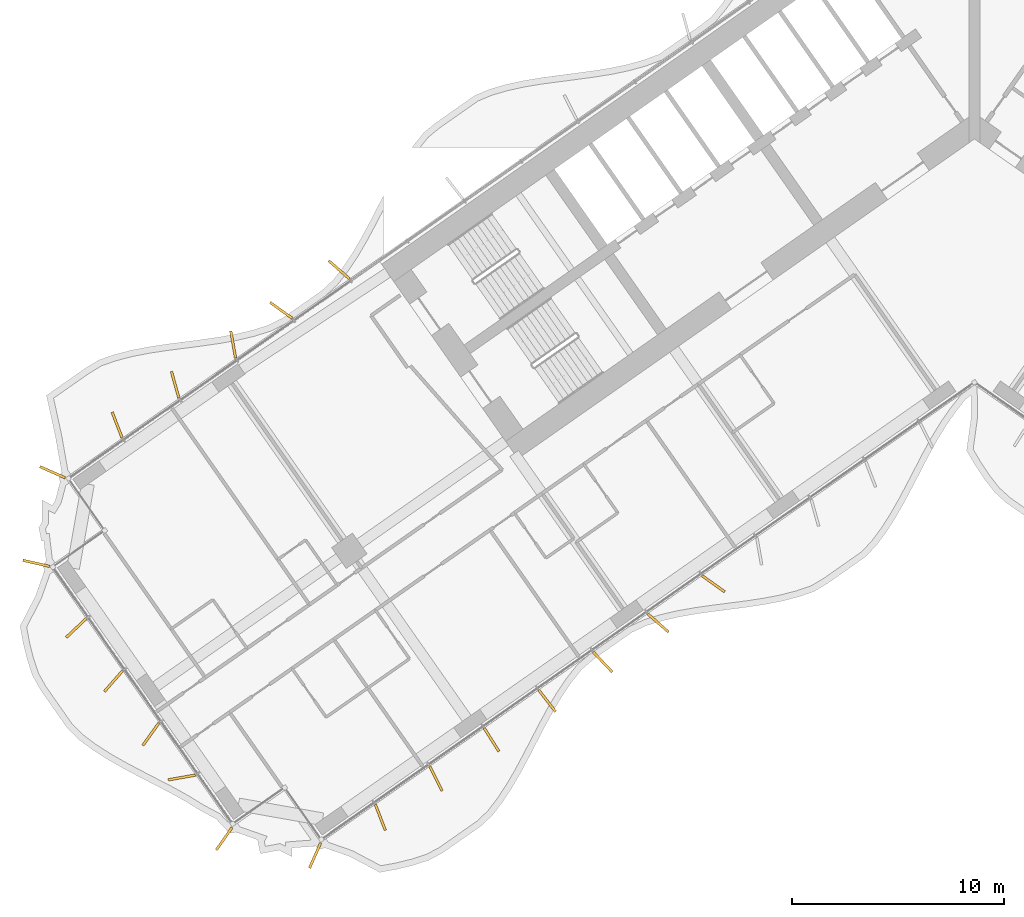
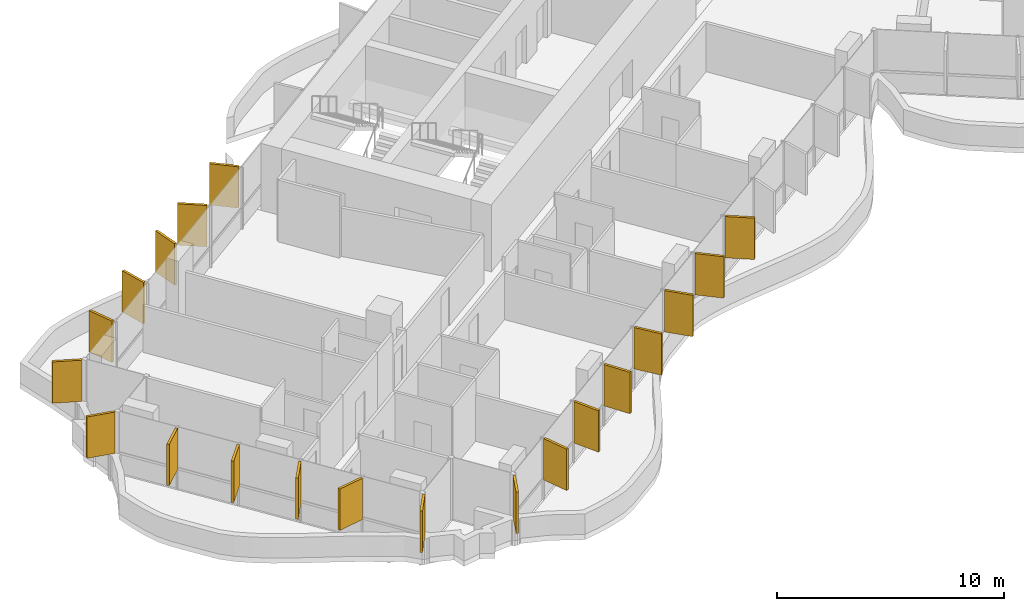
# One storey, part 19 of 24: 20 shading devices.
"""IFC4 building model written with IfcOpenShell, lengths in metres."""

from ifc_helpers import new_model, si_unit, direction, frame, origin, origin_2d, place, context, subcontext, project, spatial, rectangle, extrude, material, layer, layer_set, type_object, element, save


model = new_model("IFC4")

# Units and contexts
model_context = context("Model", 3, precision=1e-05, world=origin(), true_north=direction((0.0, 1.0)))
body_context = subcontext(model_context, "Body", "Model", "MODEL_VIEW")
ifc_project = project(units=[si_unit("LENGTHUNIT", "METRE"), si_unit("AREAUNIT", "SQUARE_METRE"), si_unit("VOLUMEUNIT", "CUBIC_METRE"), si_unit("PLANEANGLEUNIT", "RADIAN"), si_unit("MASSUNIT", "GRAM", prefix="KILO")], contexts=[model_context])

# Site, building, storey
site_placement = place(None, origin())
site = spatial("IfcSite", under=ifc_project, at=site_placement, CompositionType="ELEMENT")
building_placement = place(site_placement, origin())
building = spatial("IfcBuilding", under=site, at=building_placement, Name="Tel Ilan Convention Tower", CompositionType="ELEMENT")
storey_placement = place(building_placement, frame((0.0, 0.0, 65.300048828125)))
storey = spatial("IfcBuildingStorey", under=building, at=storey_placement, Name="L11", CompositionType="ELEMENT", Elevation=65.300048828125)

# Shading devices
ifc_material = material(Name="Aluminium, bronze anodised", Category="aluminium")
ifc_layer = layer(ifc_material, 0.1201171875)
ifc_layer_set = layer_set([ifc_layer], Name="FIN BRONZE 1300x120")
shading_device_type = type_object("IfcShadingDeviceType", Name="FIN BRONZE 1300x120", PredefinedType="USERDEFINED", material=ifc_layer_set)
for number, where, z_axis, x_axis, name in (
    (1, (-29.980712890625, -7.38720703125, 1.10009765625), (0.0, 0.0, 1.0), (-0.753435896329, 0.657521368568, 0.0), "FIN"),
    (2, (-32.703369140625, -9.308837890625, 1.10009765625), (0.0, 0.0, 1.0), (-0.813552070258, 0.581492071294, 0.0), "FIN"),
    (3, (-34.970703125, -10.919189453125, 1.10009765625), (0.0, 0.0, 1.0), (-0.173648177667, 0.984807753012, 0.0), "FIN"),
    (4, (-37.709228515625, -12.814208984375, 1.10009765625), (0.0, 0.0, 1.0), (-0.268172612768, 0.963370878614, 0.0), "FIN"),
    (5, (-40.4462890625, -14.71533203125, 1.10009765625), (0.0, 0.0, 1.0), (-0.360177724803, 0.932883704733, 0.0), "FIN"),
    (6, (-43.492431640625, -16.944091796875, 1.10009765625), (0.0, 0.0, 1.0), (-0.914332505315, 0.404964282034, 0.0), "FIN"),
    (7, (-44.25732421875, -21.243896484375, 1.10009765625), (0.0, 0.0, 1.0), (-0.975235208752, 0.221170268371, 0.0), "FIN"),
    (8, (-42.3798828125, -24.296142578125, 1.10009765625), (0.0, 0.0, 1.0), (-0.727373641577, -0.686241637865, 0.0), "FIN"),
    (9, (-40.618408203125, -26.800537109375, 1.10009765625), (0.0, 0.0, 1.0), (-0.657521368568, -0.753435896329, 0.0), "FIN"),
    (10, (-38.852783203125, -29.30029296875, 1.10009765625), (0.0, 0.0, 1.0), (-0.581492071294, -0.813552070258, 0.0), "FIN"),
    (11, (-37.398681640625, -31.344970703125, 1.10009765625), (0.0, 0.0, 1.0), (-0.984807753012, -0.173648177667, 0.0), "FIN"),
    (12, (-35.39453125, -34.232177734375, 1.10009765625), (0.0, 0.0, 1.0), (-0.573576436351, -0.819152044289, 0.0), "FIN"),
    (13, (-31.10498046875, -35.02001953125, 1.10009765625), (0.0, 0.0, 1.0), (-0.404964282034, -0.914332505315, 0.0), "FIN"),
    (14, (-28.02734375, -33.230224609375, 1.10009765625), (0.0, 0.0, 1.0), (0.360177724803, -0.932883704733, 0.0), "FIN"),
    (15, (-25.403076171875, -31.400634765625, 1.10009765625), (0.0, 0.0, 1.0), (0.448799180206, -0.893632640321, 0.0), "FIN"),
    (16, (-22.781494140625, -29.5654296875, 1.10009765625), (0.0, 0.0, 1.0), (0.533204432798, -0.845986425922, 0.0), "FIN"),
    (17, (-20.159912109375, -27.729736328125, 1.10009765625), (0.0, 0.0, 1.0), (0.612600545196, -0.790392669516, 0.0), "FIN"),
    (18, (-17.538818359375, -25.89404296875, 1.10009765625), (0.0, 0.0, 1.0), (0.686241637865, -0.727373641577, 0.0), "FIN"),
    (19, (-14.921875, -24.053955078125, 1.10009765625), (0.0, 0.0, 1.0), (0.753435896329, -0.657521368568, 0.0), "FIN"),
    (20, (-12.309814453125, -22.20947265625, 1.10009765625), (0.0, 0.0, 1.0), (0.813552070258, -0.581492071294, 0.0), "FIN"),
):
    element("IfcShadingDevice", number, at=place(storey_placement, frame(where, z_axis=z_axis, x_axis=x_axis)), inside=storey, type_object=shading_device_type, Name=name, ObjectType="FIN", PredefinedType="USERDEFINED", context=body_context, shape_type="SweptSolid", body=[
        extrude(rectangle(XDim=1.300048828125, YDim=0.1201171875, at=origin_2d()), origin(), (0.0, 0.0, 1.0), 2.219970703125),
    ])

save(model, "model.ifc")
